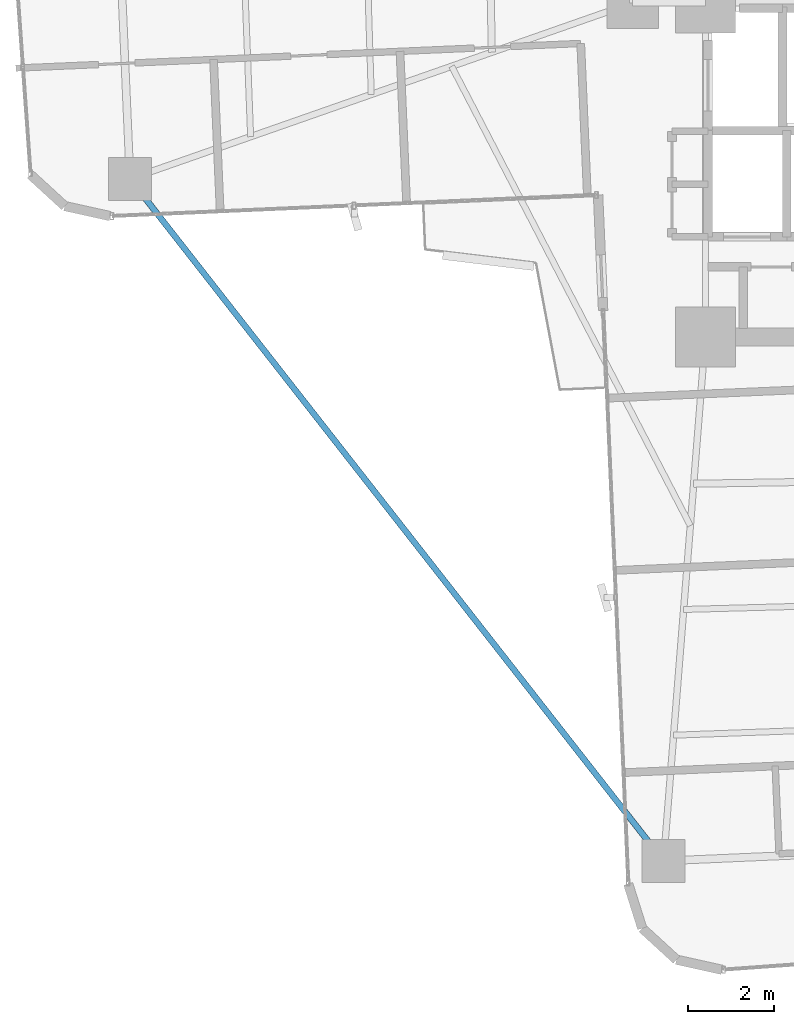
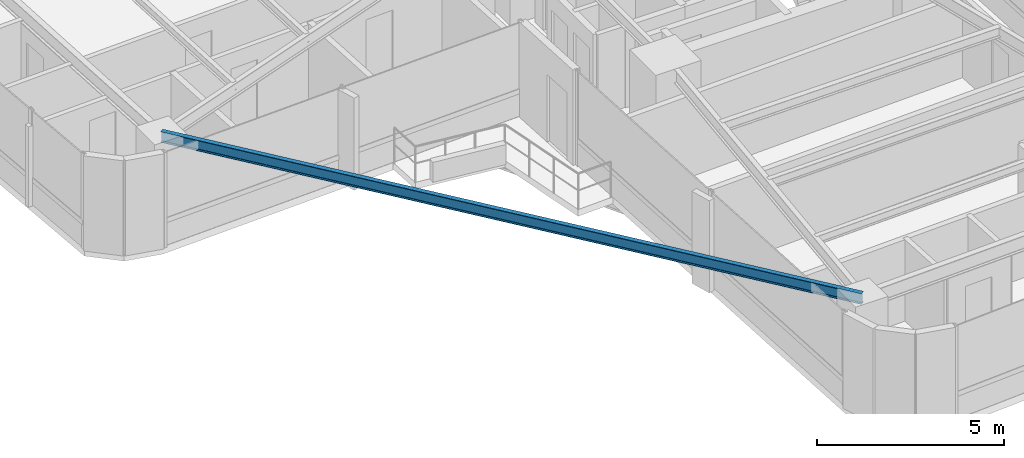
# One storey, part 3 of 27: 1 beam.
"""IFC4 building model written with IfcOpenShell, lengths in metres."""

from ifc_helpers import new_model, si_unit, direction, frame, origin, origin_2d, place, context, subcontext, project, spatial, i_section, extrude, source, transform, mapped, material, material_profile, profile_set, type_object, element, save


model = new_model("IFC4")

# Units and contexts
model_context = context("Model", 3, precision=1e-05, world=origin(), true_north=direction((0.0, 1.0)))
body_context = subcontext(model_context, "Body", "Model", "MODEL_VIEW")
ifc_project = project(units=[si_unit("LENGTHUNIT", "METRE"), si_unit("AREAUNIT", "SQUARE_METRE"), si_unit("VOLUMEUNIT", "CUBIC_METRE"), si_unit("PLANEANGLEUNIT", "RADIAN"), si_unit("MASSUNIT", "GRAM", prefix="KILO")], contexts=[model_context])

# Site, building, storey
site_placement = place(None, origin())
site = spatial("IfcSite", under=ifc_project, at=site_placement, CompositionType="ELEMENT")
building_placement = place(site_placement, origin())
building = spatial("IfcBuilding", under=site, at=building_placement, Name="Sahyath Konkavel Grand Hotel", CompositionType="ELEMENT")
storey_placement = place(building_placement, frame((0.0, 0.0, 90.199951171875)))
storey = spatial("IfcBuildingStorey", under=building, at=storey_placement, Name="L24", CompositionType="ELEMENT", Elevation=90.199951171875)

# Beam
ifc_material = material(Name="Steel E350", Category="steel")
ifc_material_profile = material_profile(ifc_material, i_section(OverallWidth=0.139892578125, OverallDepth=0.35009765625, WebThickness=0.008056640625, FlangeThickness=0.01416015625, FilletRadius=0.013916015625, at=origin_2d()), Name="ISMB 350")
ifc_profile_set = profile_set([ifc_material_profile], Name="Steel E350")
beam_type = type_object("IfcBeamType", Name="BM-ISMB350", PredefinedType="BEAM", material=ifc_profile_set)
shared_shape = source(origin(), body_context, "Body", "SweptSolid", [
    extrude(i_section(OverallWidth=0.139892578125, OverallDepth=0.35009765625, WebThickness=0.008056640625, FlangeThickness=0.01416015625, FilletRadius=0.013916015625, at=origin_2d()), origin(), (0.0, 0.0, 1.0), 20.215576171875),
])
beam_placement = place(storey_placement, frame((-17.232421875, -6.5078125, 2.93505859375), z_axis=(0.616176369687, -0.787608203004, 0.0), x_axis=(0.787608203004, 0.616176369687, 0.0)))
element("IfcBeam", 1, at=beam_placement, inside=storey, type_object=beam_type, Name="L24 Re-Entrant Tie Beam SW", PredefinedType="BEAM", context=body_context, shape_type="MappedRepresentation", body=[
    mapped(shared_shape, transform((0.0, 0.0, 0.0), scale=1.0)),
])

save(model, "model.ifc")
